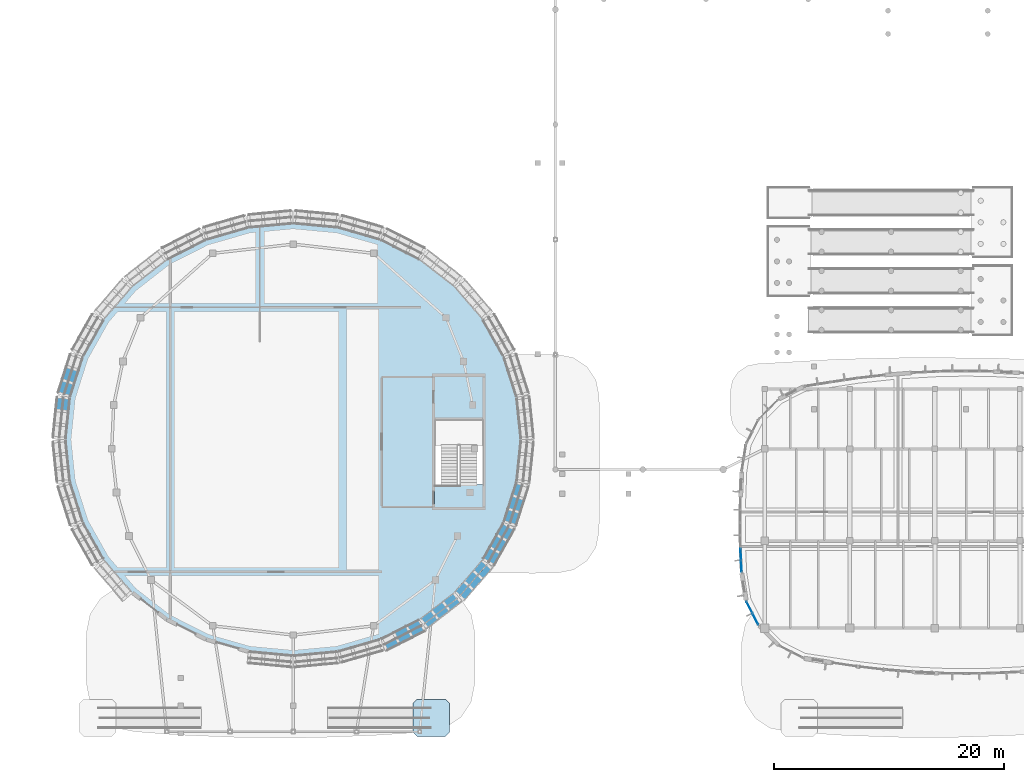
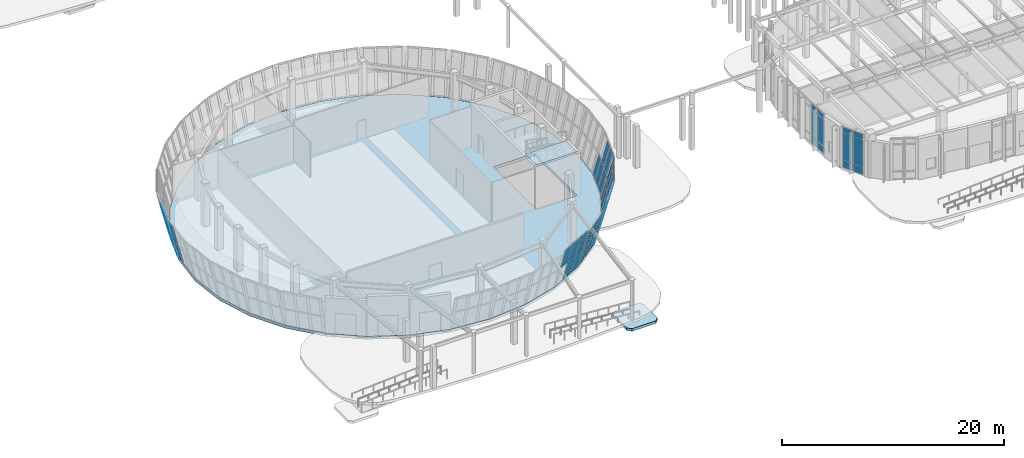
# One storey, part 67 of 120: 46 plates, 3 slabs, 10 elements without a shape of their own.
"""IFC4 building model written with IfcOpenShell, lengths in metres."""

from ifc_helpers import new_model, si_unit, direction, frame, origin, origin_2d, place, context, subcontext, project, spatial, polyline, rectangle, outline, extrude, material, layer, layer_set, type_object, element, aggregate, save


model = new_model("IFC4")

# Units and contexts
model_context = context("Model", 3, precision=1e-05, world=origin(), true_north=direction((0.0, 1.0)))
body_context = subcontext(model_context, "Body", "Model", "MODEL_VIEW")
ifc_project = project(units=[si_unit("LENGTHUNIT", "METRE"), si_unit("AREAUNIT", "SQUARE_METRE"), si_unit("VOLUMEUNIT", "CUBIC_METRE"), si_unit("PLANEANGLEUNIT", "RADIAN"), si_unit("MASSUNIT", "GRAM", prefix="KILO")], contexts=[model_context])

# Site, building, storey
site_placement = place(None, origin())
site = spatial("IfcSite", under=ifc_project, at=site_placement, CompositionType="ELEMENT")
building_placement = place(site_placement, origin())
building = spatial("IfcBuilding", under=site, at=building_placement, Name="Corveleigh Park Community Centre", CompositionType="ELEMENT")
storey_placement = place(building_placement, origin())
storey = spatial("IfcBuildingStorey", under=building, at=storey_placement, Name="L00", CompositionType="ELEMENT", Elevation=0.0)

# Curtain wall, plates
ifc_material_1 = material(Name="Anodised aluminium 6063-T6", Category="aluminium")
curtain_wall_type_1 = type_object("IfcCurtainWallType", Name="CW-SYS-V1-L00", PredefinedType="NOTDEFINED", material=ifc_material_1)
curtain_wall_1_placement = place(storey_placement, origin())
curtain_wall_1 = element("IfcCurtainWall", 1, at=curtain_wall_1_placement, inside=storey, type_object=curtain_wall_type_1, Name="Main Hall Flared Drum CW 15", PredefinedType="NOTDEFINED")
ifc_material_2 = material(Name="Low-E double glazing", Category="glass")
ifc_layer_1 = layer(ifc_material_2, 0.028076171875, Name="Low-E double glazing", Category="glass")
ifc_layer_set_1 = layer_set([ifc_layer_1], Name="Low-E double glazing")
plate_type_1 = type_object("IfcPlateType", Name="CWP-GLZ-28", PredefinedType="CURTAIN_PANEL", material=ifc_layer_set_1)
plate_1_placement = place(storey_placement, frame((12.298583984375, 33.578369140625, 0.074951171875), z_axis=(0.924224052643, -0.295459781747, 0.241895468923), x_axis=(-0.304500987016, -0.952512020316, -7.678442e-06)))
plate_1 = element("IfcPlate", 2, at=plate_1_placement, type_object=plate_type_1, Name="CW01 panel 2.1", PredefinedType="CURTAIN_PANEL", context=body_context, shape_type="SweptSolid", body=[
    extrude(outline(polyline([(0.0, 0.0), (1.1362216027012917, 0.0), (1.13611658164049, -2.202880342482086), (0.00012752581915844347, -2.2028623614487755), (0.0, 0.0)])), origin(), (0.0, 0.0, -1.0), 0.028076171875),
])
plate_2_placement = place(storey_placement, frame((11.773193359375, 33.746337890625, 2.28759765625), z_axis=(0.924213395342, -0.295456374777, 0.241940344866), x_axis=(-0.30450098634, -0.952512020533, -7.679778e-06)))
plate_2 = element("IfcPlate", 3, at=plate_2_placement, type_object=plate_type_1, Name="CW01 panel 2.2", PredefinedType="CURTAIN_PANEL", context=body_context, shape_type="SweptSolid", body=[
    extrude(outline(polyline([(0.0, 0.0), (1.1362216027013048, 1.3877787807814457e-17), (1.1360783917475075, -2.215234922202631), (8.933592621562777e-05, -2.2152169378335165), (0.0, 0.0)])), origin(), (0.0, 0.0, -1.0), 0.028076171875),
])
plate_3_placement = place(storey_placement, frame((11.92822265625, 32.419921875, 0.074951171875), z_axis=(0.9242321555, -0.295434433899, 0.241895469173), x_axis=(-0.3044785768, -0.952519184167, 7.959586e-06)))
plate_3 = element("IfcPlate", 4, at=plate_3_placement, type_object=plate_type_1, Name="CW01 panel 3.1", PredefinedType="CURTAIN_PANEL", context=body_context, shape_type="SweptSolid", body=[
    extrude(outline(polyline([(0.0, 0.0), (1.09599468896104, 0.0), (1.0961431042570502, -2.202862360140468), (-8.413333293679463e-05, -2.2028803433789186), (0.0, 0.0)])), origin(), (0.0, 0.0, -1.0), 0.028076171875),
])
plate_4_placement = place(storey_placement, frame((11.40283203125, 32.587890625, 2.28759765625), z_axis=(0.924221498211, -0.295431027255, 0.241940344671), x_axis=(-0.304478577502, -0.952519183943, 7.96097e-06)))
plate_4 = element("IfcPlate", 5, at=plate_4_placement, type_object=plate_type_1, Name="CW01 panel 3.2", PredefinedType="CURTAIN_PANEL", context=body_context, shape_type="SweptSolid", body=[
    extrude(outline(polyline([(0.0, 0.0), (1.0959946889610537, 0.0), (1.096105035412577, -2.2152169368866095), (-0.00012220217736917614, -2.2152349234612396), (0.0, 0.0)])), origin(), (0.0, 0.0, -1.0), 0.028076171875),
])
aggregate(curtain_wall_1, [plate_1, plate_2, plate_3, plate_4])

curtain_wall_2_placement = place(storey_placement, origin())
curtain_wall_2 = element("IfcCurtainWall", 6, at=curtain_wall_2_placement, inside=storey, type_object=curtain_wall_type_1, Name="Main Hall Flared Drum CW 16", PredefinedType="NOTDEFINED")
plate_5_placement = place(storey_placement, frame((11.550048828125, 31.163330078125, 0.074951171875), z_axis=(0.96515001624, -0.09986930772, 0.241891644185), x_axis=(-0.102926539909, -0.994688960115, 2.70295e-06)))
plate_5 = element("IfcPlate", 7, at=plate_5_placement, type_object=plate_type_1, Name="CW01 panel 1.1", PredefinedType="CURTAIN_PANEL", context=body_context, shape_type="SweptSolid", body=[
    extrude(outline(polyline([(0.0, 0.0), (1.0910006435718256, 6.938893903907228e-18), (1.09116345006612, -2.2028661474763482), (-8.003749010855978e-05, -2.2028722264994736), (0.0, 0.0)])), origin(), (0.0, 0.0, -1.0), 0.028076171875),
])
plate_6_placement = place(storey_placement, frame((11.00146484375, 31.22021484375, 2.28759765625), z_axis=(0.965128779744, -0.099855879146, 0.241981904095), x_axis=(-0.102914417151, -0.99469021446, 0.0)))
plate_6 = element("IfcPlate", 8, at=plate_6_placement, type_object=plate_type_1, Name="CW01 panel 1.2", PredefinedType="CURTAIN_PANEL", context=body_context, shape_type="SweptSolid", body=[
    extrude(outline(polyline([(0.0, 0.0), (1.091243487641259, -3.469446951953614e-18), (1.0912349667889558, -2.2152495912078316), (-8.52085230314992e-06, -2.2152495912078316), (0.0, 0.0)])), origin(), (0.0, 0.0, -1.0), 0.028076171875),
])
aggregate(curtain_wall_2, [plate_5, plate_6])

curtain_wall_3_placement = place(storey_placement, origin())
curtain_wall_3 = element("IfcCurtainWall", 9, at=curtain_wall_3_placement, inside=storey, type_object=curtain_wall_type_1, Name="Main Hall Flared Drum CW 24", PredefinedType="NOTDEFINED")
plate_7_placement = place(storey_placement, frame((38.928466796875, 9.76953125, 2.28759765625), z_axis=(-0.439145416311, 0.865234597971, 0.241909887783), x_axis=(0.89171981789, 0.452587854877, 0.0)))
plate_7 = element("IfcPlate", 10, at=plate_7_placement, type_object=plate_type_1, Name="CW01 panel 1.2", PredefinedType="CURTAIN_PANEL", context=body_context, shape_type="SweptSolid", body=[
    extrude(outline(polyline([(0.0, 0.0), (1.143057593792787, 0.0), (1.1432175222570384, -2.2152085929973557), (0.0001599284642513632, -2.2152085929973557), (0.0, 0.0)])), origin(), (0.0, 0.0, -1.0), 0.028076171875),
])
plate_8_placement = place(storey_placement, frame((39.76953125, 10.815185546875, 0.074951171875), z_axis=(-0.439122373014, 0.865229263015, 0.241970791505), x_axis=(0.891728276149, 0.452571189446, 0.0)))
plate_8 = element("IfcPlate", 11, at=plate_8_placement, type_object=plate_type_1, Name="CW01 panel 2.1", PredefinedType="CURTAIN_PANEL", context=body_context, shape_type="SweptSolid", body=[
    extrude(outline(polyline([(0.0, 0.0), (1.1830191649644384, 0.0), (1.1829877760446348, -2.2029139909198747), (-3.13889198035054e-05, -2.2029139909198747), (0.0, 0.0)])), origin(), (0.0, 0.0, -1.0), 0.028076171875),
])
plate_9_placement = place(storey_placement, frame((40.01904296875, 10.3232421875, 2.28759765625), z_axis=(-0.439081052362, 0.865247956125, 0.241978932714), x_axis=(0.891750644731, 0.452527112449, 1.0961263e-05)))
plate_9 = element("IfcPlate", 12, at=plate_9_placement, type_object=plate_type_1, Name="CW01 panel 2.2", PredefinedType="CURTAIN_PANEL", context=body_context, shape_type="SweptSolid", body=[
    extrude(outline(polyline([(0.0, 0.0), (1.1832368760079799, 0.0), (1.183128674593076, -2.2152345336873904), (0.00010951114484507044, -2.2152612652653896), (0.0, 0.0)])), origin(), (0.0, 0.0, -1.0), 0.028076171875),
])
plate_10_placement = place(storey_placement, frame((40.895751953125, 11.38671875, 0.074951171875), z_axis=(-0.439149042587, 0.865241742709, 0.241877748188), x_axis=(0.89171981789, 0.452587854877, 0.0)))
plate_10 = element("IfcPlate", 13, at=plate_10_placement, type_object=plate_type_1, Name="CW01 panel 3.1", PredefinedType="CURTAIN_PANEL", context=body_context, shape_type="SweptSolid", body=[
    extrude(outline(polyline([(0.0, 0.0), (1.143057593792787, 0.0), (1.1431267379543772, -2.202861322624002), (6.914416159023535e-05, -2.202861322624002), (0.0, 0.0)])), origin(), (0.0, 0.0, -1.0), 0.028076171875),
])
plate_11_placement = place(storey_placement, frame((41.1455078125, 10.894775390625, 2.28759765625), z_axis=(-0.439106249554, 0.86526104059, 0.241886405653), x_axis=(0.891740410048, 0.452547280357, -1.1342872e-05)))
plate_11 = element("IfcPlate", 14, at=plate_11_placement, type_object=plate_type_1, Name="CW01 panel 3.2", PredefinedType="CURTAIN_PANEL", context=body_context, shape_type="SweptSolid", body=[
    extrude(outline(polyline([(0.0, 0.0), (1.1430575925360011, 1.3877787807814457e-17), (1.1432175235139999, -2.215208592348667), (-5.777908304825757e-05, -2.2151818650904693), (0.0, 0.0)])), origin(), (0.0, 0.0, -1.0), 0.028076171875),
])
aggregate(curtain_wall_3, [plate_7, plate_8, plate_9, plate_10, plate_11])

curtain_wall_4_placement = place(storey_placement, origin())
curtain_wall_4 = element("IfcCurtainWall", 15, at=curtain_wall_4_placement, inside=storey, type_object=curtain_wall_type_1, Name="Main Hall Flared Drum CW 25", PredefinedType="NOTDEFINED")
plate_12_placement = place(storey_placement, frame((42.094482421875, 12.017333984375, 0.074951171875), z_axis=(-0.596494328282, 0.765305574277, 0.241871648416), x_axis=(0.788724172933, 0.614747248088, 0.0)))
plate_12 = element("IfcPlate", 16, at=plate_12_placement, type_object=plate_type_1, Name="CW01 panel 1.1", PredefinedType="CURTAIN_PANEL", context=body_context, shape_type="SweptSolid", body=[
    extrude(outline(polyline([(0.0, 0.0), (1.1310542701294881, 0.0), (1.1311733683025378, -2.2028578706137374), (0.00011909817304961434, -2.2028578706137374), (0.0, 0.0)])), origin(), (0.0, 0.0, -1.0), 0.028076171875),
])
plate_13_placement = place(storey_placement, frame((42.43359375, 11.58251953125, 2.28759765625), z_axis=(-0.596434349378, 0.76536298951, 0.241837882001), x_axis=(0.788779563901, 0.614676174236, 1.9979105e-05)))
plate_13 = element("IfcPlate", 17, at=plate_13_placement, type_object=plate_type_1, Name="CW01 panel 1.2", PredefinedType="CURTAIN_PANEL", context=body_context, shape_type="SweptSolid", body=[
    extrude(outline(polyline([(0.0, 0.0), (1.1309041978865157, 2.7755575615628914e-17), (1.1311262003276359, -1.728783693838389), (7.193501576945395e-05, -1.728830268226896), (0.0, 0.0)])), origin(), (0.0, 0.0, -1.0), 0.028076171875),
])
plate_14_placement = place(storey_placement, frame((43.0498046875, 12.761962890625, 0.074951171875), z_axis=(-0.596492169086, 0.765314524556, 0.241848652515), x_axis=(0.788731694253, 0.614737597767, 1.9296244e-05)))
plate_14 = element("IfcPlate", 18, at=plate_14_placement, type_object=plate_type_1, Name="CW01 panel 2.1", PredefinedType="CURTAIN_PANEL", context=body_context, shape_type="SweptSolid", body=[
    extrude(outline(polyline([(0.0, 0.0), (1.1709029388614423, 2.7755575615628914e-17), (1.1708772393632954, -2.202821573268966), (-0.00017578191947641988, -2.202868146805956), (0.0, 0.0)])), origin(), (0.0, 0.0, -1.0), 0.028076171875),
])
plate_15_placement = place(storey_placement, frame((43.388671875, 12.326904296875, 2.28759765625), z_axis=(-0.596422853088, 0.765355377623, 0.241890318654), x_axis=(0.788779283732, 0.614676534085, 0.0)))
plate_15 = element("IfcPlate", 19, at=plate_15_placement, type_object=plate_type_1, Name="CW01 panel 2.2", PredefinedType="CURTAIN_PANEL", context=body_context, shape_type="SweptSolid", body=[
    extrude(outline(polyline([(0.0, 0.0), (1.1709029425883544, 0.0), (1.1709411721346286, -1.7288302718252708), (3.822954627427655e-05, -1.7288302718252708), (0.0, 0.0)])), origin(), (0.0, 0.0, -1.0), 0.028076171875),
])
plate_16_placement = place(storey_placement, frame((44.036376953125, 13.53076171875, 0.074951171875), z_axis=(-0.596550022218, 0.765272298516, 0.241839575163), x_axis=(0.788685766687, 0.614796520146, 1.5570439e-05)))
plate_16 = element("IfcPlate", 20, at=plate_16_placement, type_object=plate_type_1, Name="CW01 panel 3.1", PredefinedType="CURTAIN_PANEL", context=body_context, shape_type="SweptSolid", body=[
    extrude(outline(polyline([(0.0, 0.0), (1.1310542677852573, 5.551115123125783e-17), (1.1309808110340844, -2.2028215729714775), (0.00011909348483451449, -2.2028578694103493), (0.0, 0.0)])), origin(), (0.0, 0.0, -1.0), 0.028076171875),
])
plate_17_placement = place(storey_placement, frame((44.37548828125, 13.095947265625, 2.28759765625), z_axis=(-0.596491390402, 0.765331446824, 0.241797017513), x_axis=(0.788736392587, 0.614731569865, 4.407422e-06)))
plate_17 = element("IfcPlate", 21, at=plate_17_placement, type_object=plate_type_1, Name="CW01 panel 3.2", PredefinedType="CURTAIN_PANEL", context=body_context, shape_type="SweptSolid", body=[
    extrude(outline(polyline([(0.0, 0.0), (1.1307116263495272, -5.551115123125783e-17), (1.1308781511231694, -1.7287837024741155), (-0.0001761187718785473, -1.7287939758748223), (0.0, 0.0)])), origin(), (0.0, 0.0, -1.0), 0.028076171875),
])
aggregate(curtain_wall_4, [plate_12, plate_13, plate_14, plate_15, plate_16, plate_17])

curtain_wall_5_placement = place(storey_placement, origin())
curtain_wall_5 = element("IfcCurtainWall", 22, at=curtain_wall_5_placement, inside=storey, type_object=curtain_wall_type_1, Name="Main Hall Flared Drum CW 26", PredefinedType="NOTDEFINED")
plate_18_placement = place(storey_placement, frame((45.08447265625, 14.374267578125, 0.074951171875), z_axis=(-0.734016166689, 0.634607104553, 0.241855514494), x_axis=(0.654023576954, 0.756474163992, 0.0)))
plate_18 = element("IfcPlate", 23, at=plate_18_placement, type_object=plate_type_1, Name="CW01 panel 1.1", PredefinedType="CURTAIN_PANEL", context=body_context, shape_type="SweptSolid", body=[
    extrude(outline(polyline([(0.0, 0.0), (1.1176310105729081, -2.7755575615628914e-17), (1.1177053009866373, -2.202848740530084), (7.429041372922125e-05, -2.202848740530084), (0.0, 0.0)])), origin(), (0.0, 0.0, -1.0), 0.028076171875),
])
plate_19_placement = place(storey_placement, frame((45.501708984375, 14.013427734375, 2.28759765625), z_axis=(-0.734043675867, 0.634539271127, 0.241949985157), x_axis=(0.653966378888, 0.756523611663, -1.6765787e-05)))
plate_19 = element("IfcPlate", 24, at=plate_19_placement, type_object=plate_type_1, Name="CW01 panel 1.2", PredefinedType="CURTAIN_PANEL", context=body_context, shape_type="SweptSolid", body=[
    extrude(outline(polyline([(0.0, 0.0), (1.1178157053686328, 0.0), (1.1177479912555672, -2.215250732361659), (0.00011698403431295142, -2.215212105689578), (0.0, 0.0)])), origin(), (0.0, 0.0, -1.0), 0.028076171875),
])
plate_20_placement = place(storey_placement, frame((45.86767578125, 15.2802734375, 0.074951171875), z_axis=(-0.734074393715, 0.634526744226, 0.241889634655), x_axis=(0.653943437992, 0.756543442008, -1.6182402e-05)))
plate_20 = element("IfcPlate", 25, at=plate_20_placement, type_object=plate_type_1, Name="CW01 panel 2.1", PredefinedType="CURTAIN_PANEL", context=body_context, shape_type="SweptSolid", body=[
    extrude(outline(polyline([(0.0, 0.0), (1.1578018728364126, -2.7755575615628914e-17), (1.1576004333838519, -2.202887356143626), (-1.673646378932745e-05, -2.202848740357441), (0.0, 0.0)])), origin(), (0.0, 0.0, -1.0), 0.028076171875),
])
plate_21_placement = place(storey_placement, frame((46.284912109375, 14.919677734375, 2.28759765625), z_axis=(-0.734063009963, 0.634516904222, 0.241949985865), x_axis=(0.653949544007, 0.756538164028, 1.6188772e-05)))
plate_21 = element("IfcPlate", 26, at=plate_21_placement, type_object=plate_type_1, Name="CW01 panel 2.2", PredefinedType="CURTAIN_PANEL", context=body_context, shape_type="SweptSolid", body=[
    extrude(outline(polyline([(0.0, 0.0), (1.1576171704917941, 2.7755575615628914e-17), (1.1577930623765422, -2.2152121017955335), (-8.809815454084848e-06, -2.2152507333791536), (0.0, 0.0)])), origin(), (0.0, 0.0, -1.0), 0.028076171875),
])
plate_22_placement = place(storey_placement, frame((46.677001953125, 16.216796875, 0.074951171875), z_axis=(-0.73404828675, 0.634528890091, 0.241963221087), x_axis=(0.653957406927, 0.756531367194, -1.9402051e-05)))
plate_22 = element("IfcPlate", 27, at=plate_22_placement, type_object=plate_type_1, Name="CW01 panel 3.1", PredefinedType="CURTAIN_PANEL", context=body_context, shape_type="SweptSolid", body=[
    extrude(outline(polyline([(0.0, 0.0), (1.1174713485171794, 0.0), (1.1174325250141808, -2.202932049573967), (-0.00019848107304936934, -2.2028873559515008), (0.0, 0.0)])), origin(), (0.0, 0.0, -1.0), 0.028076171875),
])
plate_23_placement = place(storey_placement, frame((47.09423828125, 15.85595703125, 2.28759765625), z_axis=(-0.734043675867, 0.634539271127, 0.241949985157), x_axis=(0.653972704978, 0.756518143115, 1.6768558e-05)))
plate_23 = element("IfcPlate", 28, at=plate_23_placement, type_object=plate_type_1, Name="CW01 panel 3.2", PredefinedType="CURTAIN_PANEL", context=body_context, shape_type="SweptSolid", body=[
    extrude(outline(polyline([(0.0, 0.0), (1.1176310078887464, 2.7755575615628914e-17), (1.1178245523181403, -2.215212100323459), (8.84761710983174e-06, -2.2152507333789075), (0.0, 0.0)])), origin(), (0.0, 0.0, -1.0), 0.028076171875),
])
aggregate(curtain_wall_5, [plate_18, plate_19, plate_20, plate_21, plate_22, plate_23])

curtain_wall_6_placement = place(storey_placement, origin())
curtain_wall_6 = element("IfcCurtainWall", 29, at=curtain_wall_6_placement, inside=storey, type_object=curtain_wall_type_1, Name="Main Hall Flared Drum CW 27", PredefinedType="NOTDEFINED")
plate_24_placement = place(storey_placement, frame((47.531494140625, 17.238525390625, 0.074951171875), z_axis=(-0.845608850053, 0.475815618134, 0.241961092433), x_axis=(0.490391908208, 0.871502022863, 2.2581573e-05)))
plate_24 = element("IfcPlate", 30, at=plate_24_placement, type_object=plate_type_1, Name="CW01 panel 1.1", PredefinedType="CURTAIN_PANEL", context=body_context, shape_type="SweptSolid", body=[
    extrude(outline(polyline([(0.0, 0.0), (1.1060402359133414, 2.7755575615628914e-17), (1.105929016332279, -2.2028827617081026), (8.505005902408371e-06, -2.2029342409163166), (0.0, 0.0)])), origin(), (0.0, 0.0, -1.0), 0.028076171875),
])
plate_25_placement = place(storey_placement, frame((48.01220703125, 16.968017578125, 2.28759765625), z_axis=(-0.845545685204, 0.475947438258, 0.241922570772), x_axis=(0.490520763399, 0.871429504041, 1.2710366e-05)))
plate_25 = element("IfcPlate", 31, at=plate_25_placement, type_object=plate_type_1, Name="CW01 panel 1.2", PredefinedType="CURTAIN_PANEL", context=body_context, shape_type="SweptSolid", body=[
    extrude(outline(polyline([(0.0, 0.0), (1.1058274874809264, 1.3877787807814457e-17), (1.106027676957768, -2.2152013240576878), (-1.2561866918475107e-05, -2.2152302983719685), (0.0, 0.0)])), origin(), (0.0, 0.0, -1.0), 0.028076171875),
])
plate_26_placement = place(storey_placement, frame((48.11328125, 18.27197265625, 0.074951171875), z_axis=(-0.845561557323, 0.475899654299, 0.241961095667), x_axis=(0.490468874936, 0.871458709432, -2.1792119e-05)))
plate_26 = element("IfcPlate", 32, at=plate_26_placement, type_object=plate_type_1, Name="CW01 panel 2.1", PredefinedType="CURTAIN_PANEL", context=body_context, shape_type="SweptSolid", body=[
    extrude(outline(polyline([(0.0, 0.0), (1.1460441724578074, 0.0), (1.1460049149370777, -2.2029342405832093), (-0.00015900089839957345, -2.2028827587777835), (0.0, 0.0)])), origin(), (0.0, 0.0, -1.0), 0.028076171875),
])
plate_27_placement = place(storey_placement, frame((48.593994140625, 18.00146484375, 2.28759765625), z_axis=(-0.845558848019, 0.475911116905, 0.241948017852), x_axis=(0.490483775951, 0.871450323041, 0.0)))
plate_27 = element("IfcPlate", 33, at=plate_27_placement, type_object=plate_type_1, Name="CW01 panel 2.2", PredefinedType="CURTAIN_PANEL", context=body_context, shape_type="SweptSolid", body=[
    extrude(outline(polyline([(0.0, 0.0), (1.1458314144234052, -1.3877787807814457e-17), (1.1457687839252304, -2.2152302982841046), (-6.26304981747039e-05, -2.2152302982841046), (0.0, 0.0)])), origin(), (0.0, 0.0, -1.0), 0.028076171875),
])
plate_28_placement = place(storey_placement, frame((48.714599609375, 19.34033203125, 0.074951171875), z_axis=(-0.845572958026, 0.475902510824, 0.241915631669), x_axis=(0.490470824454, 0.871457612486, 0.0)))
plate_28 = element("IfcPlate", 34, at=plate_28_placement, type_object=plate_type_1, Name="CW01 panel 3.1", PredefinedType="CURTAIN_PANEL", context=body_context, shape_type="SweptSolid", body=[
    extrude(outline(polyline([(0.0, 0.0), (1.1060402407301373, 1.3877787807814457e-17), (1.1059290115159677, -2.2028827641260698), (-0.00011122921416961695, -2.2028827641260698), (0.0, 0.0)])), origin(), (0.0, 0.0, -1.0), 0.028076171875),
])
plate_29_placement = place(storey_placement, frame((49.1953125, 19.06982421875, 2.28759765625), z_axis=(-0.845545685204, 0.475947438258, 0.241922570772), x_axis=(0.490520763399, 0.871429504041, 1.2710366e-05)))
plate_29 = element("IfcPlate", 35, at=plate_29_placement, type_object=plate_type_1, Name="CW01 panel 3.2", PredefinedType="CURTAIN_PANEL", context=body_context, shape_type="SweptSolid", body=[
    extrude(outline(polyline([(0.0, 0.0), (1.1058274874809264, 1.3877787807814457e-17), (1.106027676957768, -2.2152013240576878), (-1.2561866918475107e-05, -2.2152302983719685), (0.0, 0.0)])), origin(), (0.0, 0.0, -1.0), 0.028076171875),
])
aggregate(curtain_wall_6, [plate_24, plate_25, plate_26, plate_27, plate_28, plate_29])

curtain_wall_7_placement = place(storey_placement, origin())
curtain_wall_7 = element("IfcCurtainWall", 36, at=curtain_wall_7_placement, inside=storey, type_object=curtain_wall_type_1, Name="Main Hall Flared Drum CW 28", PredefinedType="NOTDEFINED")
plate_30_placement = place(storey_placement, frame((49.34326171875, 20.50146484375, 0.074951171875), z_axis=(-0.924238399796, 0.295401892102, 0.241911352533), x_axis=(0.304444391368, 0.952530111106, 0.0)))
plate_30 = element("IfcPlate", 37, at=plate_30_placement, type_object=plate_type_1, Name="CW01 panel 1.1", PredefinedType="CURTAIN_PANEL", context=body_context, shape_type="SweptSolid", body=[
    extrude(outline(polyline([(0.0, 0.0), (1.0962272383307061, 0.0), (1.0961069663016658, -2.202880341997467), (-0.00012027202904019057, -2.202880341997467), (0.0, 0.0)])), origin(), (0.0, 0.0, -1.0), 0.028076171875),
])
plate_31_placement = place(storey_placement, frame((49.86865234375, 20.33349609375, 2.28759765625), z_axis=(-0.92421523089, 0.295463568902, 0.241924547003), x_axis=(0.304508988552, 0.952509462363, 0.0)))
plate_31 = element("IfcPlate", 38, at=plate_31_placement, type_object=plate_type_1, Name="CW01 panel 1.2", PredefinedType="CURTAIN_PANEL", context=body_context, shape_type="SweptSolid", body=[
    extrude(outline(polyline([(0.0, 0.0), (1.0959946895543804, -1.3877787807814457e-17), (1.0961050348191905, -2.2152169371802213), (0.00011034526481001894, -2.2152169371802213), (0.0, 0.0)])), origin(), (0.0, 0.0, -1.0), 0.028076171875),
])
plate_32_placement = place(storey_placement, frame((49.701416015625, 21.621826171875, 0.074951171875), z_axis=(-0.924210611668, 0.295488816953, 0.24191135636), x_axis=(0.304533977361, 0.952501473297, 0.0)))
plate_32 = element("IfcPlate", 39, at=plate_32_placement, type_object=plate_type_1, Name="CW01 panel 2.1", PredefinedType="CURTAIN_PANEL", context=body_context, shape_type="SweptSolid", body=[
    extrude(outline(polyline([(0.0, 0.0), (1.1359890565361874, 0.0), (1.1359189049712526, -2.2028803441637486), (-7.015156493470065e-05, -2.2028803441637486), (0.0, 0.0)])), origin(), (0.0, 0.0, -1.0), 0.028076171875),
])
plate_33_placement = place(storey_placement, frame((50.226806640625, 21.453857421875, 2.28759765625), z_axis=(-0.924199974742, 0.295485416112, 0.241956143862), x_axis=(0.304533977361, 0.952501473297, 0.0)))
plate_33 = element("IfcPlate", 40, at=plate_33_placement, type_object=plate_type_1, Name="CW01 panel 2.2", PredefinedType="CURTAIN_PANEL", context=body_context, shape_type="SweptSolid", body=[
    extrude(outline(polyline([(0.0, 0.0), (1.1359890565361874, 0.0), (1.1358809171380344, -2.2152349244859186), (-0.00010813939815287887, -2.2152349244859186), (0.0, 0.0)])), origin(), (0.0, 0.0, -1.0), 0.028076171875),
])
plate_34_placement = place(storey_placement, frame((50.07177734375, 22.780029296875, 0.074951171875), z_axis=(-0.924238399796, 0.295401892102, 0.241911352533), x_axis=(0.304444391368, 0.952530111106, 0.0)))
plate_34 = element("IfcPlate", 41, at=plate_34_placement, type_object=plate_type_1, Name="CW01 panel 3.1", PredefinedType="CURTAIN_PANEL", context=body_context, shape_type="SweptSolid", body=[
    extrude(outline(polyline([(0.0, 0.0), (1.0962272383307061, 0.0), (1.0961069663016658, -2.202880341997467), (-0.00012027202904019057, -2.202880341997467), (0.0, 0.0)])), origin(), (0.0, 0.0, -1.0), 0.028076171875),
])
aggregate(curtain_wall_7, [plate_30, plate_31, plate_32, plate_33, plate_34])

curtain_wall_type_2 = type_object("IfcCurtainWallType", Name="CW-SYS-V3-L00", PredefinedType="NOTDEFINED", material=ifc_material_1)
curtain_wall_8_placement = place(storey_placement, origin())
curtain_wall_8 = element("IfcCurtainWall", 42, at=curtain_wall_8_placement, inside=storey, type_object=curtain_wall_type_2, Name="V3 L00 Curtain Wall 105", PredefinedType="NOTDEFINED")
ifc_layer_2 = layer(ifc_material_2, 0.0400390625, Name="Low-E double glazing", Category="glass")
ifc_layer_set_2 = layer_set([ifc_layer_2], Name="Low-E double glazing")
plate_type_2 = type_object("IfcPlateType", Name="CWP-GLZ-40", PredefinedType="CURTAIN_PANEL", material=ifc_layer_set_2)
plate_35_placement = place(storey_placement, frame((69.97314453125, 16.57763671875, 0.080078125), z_axis=(0.0, 0.0, 1.0), x_axis=(-0.045970676011, 0.998942789627, 0.0)))
plate_35 = element("IfcPlate", 43, at=plate_35_placement, type_object=plate_type_2, Name="CW05 panel 1.1", PredefinedType="CURTAIN_PANEL", context=body_context, shape_type="SweptSolid", body=[
    extrude(rectangle(XDim=0.982666015625, YDim=0.0400390625, at=origin_2d()), origin(), (0.0, 0.0, 1.0), 0.780029296875),
])
plate_36_placement = place(storey_placement, frame((69.97314453125, 16.57763671875, 0.93994140625), z_axis=(0.0, 0.0, 1.0), x_axis=(-0.045970676011, 0.998942789627, 0.0)))
plate_36 = element("IfcPlate", 44, at=plate_36_placement, type_object=plate_type_2, Name="CW05 panel 1.2", PredefinedType="CURTAIN_PANEL", context=body_context, shape_type="SweptSolid", body=[
    extrude(rectangle(XDim=0.982666015625, YDim=0.0400390625, at=origin_2d()), origin(), (0.0, 0.0, 1.0), 2.882080078125),
])
plate_37_placement = place(storey_placement, frame((69.97314453125, 16.57763671875, 3.90185546875), z_axis=(0.0, 0.0, 1.0), x_axis=(-0.045970676011, 0.998942789627, 0.0)))
plate_37 = element("IfcPlate", 45, at=plate_37_placement, type_object=plate_type_2, Name="CW05 panel 1.3", PredefinedType="CURTAIN_PANEL", context=body_context, shape_type="SweptSolid", body=[
    extrude(rectangle(XDim=0.982666015625, YDim=0.0400390625, at=origin_2d()), origin(), (0.0, 0.0, 1.0), 0.530029296875),
])
plate_38_placement = place(storey_placement, frame((69.9248046875, 17.629150390625, 0.080078125), z_axis=(0.0, 0.0, 1.0), x_axis=(-0.045970676011, 0.998942789627, 0.0)))
plate_38 = element("IfcPlate", 46, at=plate_38_placement, type_object=plate_type_2, Name="CW05 panel 2.1", PredefinedType="CURTAIN_PANEL", context=body_context, shape_type="SweptSolid", body=[
    extrude(rectangle(XDim=0.982666015625, YDim=0.0400390625, at=origin_2d()), origin(), (0.0, 0.0, 1.0), 0.780029296875),
])
plate_39_placement = place(storey_placement, frame((69.9248046875, 17.629150390625, 0.93994140625), z_axis=(0.0, 0.0, 1.0), x_axis=(-0.045970676011, 0.998942789627, 0.0)))
plate_39 = element("IfcPlate", 47, at=plate_39_placement, type_object=plate_type_2, Name="CW05 panel 2.2", PredefinedType="CURTAIN_PANEL", context=body_context, shape_type="SweptSolid", body=[
    extrude(rectangle(XDim=0.982666015625, YDim=0.0400390625, at=origin_2d()), origin(), (0.0, 0.0, 1.0), 2.882080078125),
])
plate_40_placement = place(storey_placement, frame((69.9248046875, 17.629150390625, 3.90185546875), z_axis=(0.0, 0.0, 1.0), x_axis=(-0.045970676011, 0.998942789627, 0.0)))
plate_40 = element("IfcPlate", 48, at=plate_40_placement, type_object=plate_type_2, Name="CW05 panel 2.3", PredefinedType="CURTAIN_PANEL", context=body_context, shape_type="SweptSolid", body=[
    extrude(rectangle(XDim=0.982666015625, YDim=0.0400390625, at=origin_2d()), origin(), (0.0, 0.0, 1.0), 0.530029296875),
])
aggregate(curtain_wall_8, [plate_35, plate_36, plate_37, plate_38, plate_39, plate_40])

curtain_wall_9_placement = place(storey_placement, origin())
curtain_wall_9 = element("IfcCurtainWall", 49, at=curtain_wall_9_placement, inside=storey, type_object=curtain_wall_type_2, Name="V3 L00 Curtain Wall 106", PredefinedType="NOTDEFINED")
plate_41_placement = place(storey_placement, frame((71.196044921875, 11.992431640625, 0.06005859375), z_axis=(0.0, 0.0, 1.0), x_axis=(-0.45413480079, 0.890932984411, 0.0)))
plate_41 = element("IfcPlate", 50, at=plate_41_placement, type_object=plate_type_2, Name="CW05 panel 1.1", PredefinedType="CURTAIN_PANEL", context=body_context, shape_type="SweptSolid", body=[
    extrude(rectangle(XDim=1.070068359375, YDim=0.0400390625, at=origin_2d()), origin(), (0.0, 0.0, 1.0), 0.81005859375),
])
plate_42_placement = place(storey_placement, frame((71.196044921875, 11.992431640625, 0.93017578125), z_axis=(0.0, 0.0, 1.0), x_axis=(-0.45413480079, 0.890932984411, 0.0)))
plate_42 = element("IfcPlate", 51, at=plate_42_placement, type_object=plate_type_2, Name="CW05 panel 1.2", PredefinedType="CURTAIN_PANEL", context=body_context, shape_type="SweptSolid", body=[
    extrude(rectangle(XDim=1.070068359375, YDim=0.0400390625, at=origin_2d()), origin(), (0.0, 0.0, 1.0), 2.931884765625),
])
plate_43_placement = place(storey_placement, frame((71.196044921875, 11.992431640625, 3.921875), z_axis=(0.0, 0.0, 1.0), x_axis=(-0.45413480079, 0.890932984411, 0.0)))
plate_43 = element("IfcPlate", 52, at=plate_43_placement, type_object=plate_type_2, Name="CW05 panel 1.3", PredefinedType="CURTAIN_PANEL", context=body_context, shape_type="SweptSolid", body=[
    extrude(rectangle(XDim=1.070068359375, YDim=0.0400390625, at=origin_2d()), origin(), (0.0, 0.0, 1.0), 0.56005859375),
])
plate_44_placement = place(storey_placement, frame((70.676025390625, 13.012451171875, 0.06005859375), z_axis=(0.0, 0.0, 1.0), x_axis=(-0.45413480079, 0.890932984411, 0.0)))
plate_44 = element("IfcPlate", 53, at=plate_44_placement, type_object=plate_type_2, Name="CW05 panel 2.1", PredefinedType="CURTAIN_PANEL", context=body_context, shape_type="SweptSolid", body=[
    extrude(rectangle(XDim=1.070068359375, YDim=0.0400390625, at=origin_2d()), origin(), (0.0, 0.0, 1.0), 0.81005859375),
])
plate_45_placement = place(storey_placement, frame((70.676025390625, 13.012451171875, 0.93017578125), z_axis=(0.0, 0.0, 1.0), x_axis=(-0.45413480079, 0.890932984411, 0.0)))
plate_45 = element("IfcPlate", 54, at=plate_45_placement, type_object=plate_type_2, Name="CW05 panel 2.2", PredefinedType="CURTAIN_PANEL", context=body_context, shape_type="SweptSolid", body=[
    extrude(rectangle(XDim=1.070068359375, YDim=0.0400390625, at=origin_2d()), origin(), (0.0, 0.0, 1.0), 2.931884765625),
])
plate_46_placement = place(storey_placement, frame((70.676025390625, 13.012451171875, 3.921875), z_axis=(0.0, 0.0, 1.0), x_axis=(-0.45413480079, 0.890932984411, 0.0)))
plate_46 = element("IfcPlate", 55, at=plate_46_placement, type_object=plate_type_2, Name="CW05 panel 2.3", PredefinedType="CURTAIN_PANEL", context=body_context, shape_type="SweptSolid", body=[
    extrude(rectangle(XDim=1.070068359375, YDim=0.0400390625, at=origin_2d()), origin(), (0.0, 0.0, 1.0), 0.56005859375),
])
aggregate(curtain_wall_9, [plate_41, plate_42, plate_43, plate_44, plate_45, plate_46])

# Slabs
ifc_material_3 = material(Name="Concrete C32/40", Category="concrete")
ifc_layer_3 = layer(ifc_material_3, 0.2900390625, Name="Concrete C32/40", Category="concrete")
ifc_layer_set_3 = layer_set([ifc_layer_3], Name="Concrete C32/40")
slab_type_1 = type_object("IfcSlabType", Name="SLB-APR-290", PredefinedType="FLOOR", material=ifc_layer_set_3)
slab_1_placement = place(storey_placement, frame((0.0, 0.0, -0.889892578125)))
element("IfcSlab", 56, at=slab_1_placement, inside=storey, type_object=slab_type_1, Name="Ramp RM2 lower landing", PredefinedType="FLOOR", context=body_context, shape_type="SweptSolid", body=[
    extrude(outline(polyline([(41.75, 1.800048828125), (44.25, 1.800048828125), (44.60009765625, 2.14990234375), (44.60009765625, 4.64990234375), (44.25, 5.0), (41.75, 5.0), (41.39990234375, 4.64990234375), (41.39990234375, 2.14990234375), (41.75, 1.800048828125)])), origin(), (0.0, 0.0, 1.0), 0.289794921875),
])
ifc_layer_4 = layer(ifc_material_3, 0.324951171875, Name="Concrete C32/40", Category="concrete")
ifc_layer_set_4 = layer_set([ifc_layer_4], Name="Concrete C32/40")
slab_type_2 = type_object("IfcSlabType", Name="SLB-GND-325", PredefinedType="FLOOR", material=ifc_layer_set_4)
slab_2_placement = place(storey_placement, frame((0.0, 0.0, -0.324951171875)))
element("IfcSlab", 57, at=slab_2_placement, inside=storey, type_object=slab_type_2, Name="V1 L00 floor slab", PredefinedType="FLOOR", context=body_context, shape_type="SweptSolid", body=[
    extrude(outline(polyline([(49.29296875, 20.406005859375), (47.462890625, 17.155029296875), (45.0009765625, 14.305908203125), (42.0, 11.968017578125), (38.576904296875, 10.23095703125), (34.863037109375, 9.160888671875), (31.0, 8.800048828125), (27.136962890625, 9.160888671875), (23.423095703125, 10.23095703125), (20.0, 11.968017578125), (16.9990234375, 14.305908203125), (14.537109375, 17.155029296875), (12.70703125, 20.406005859375), (11.580078125, 23.931884765625), (11.199951171875, 27.60009765625), (11.580078125, 31.26806640625), (12.70703125, 34.7939453125), (14.537109375, 38.044921875), (16.9990234375, 40.89404296875), (20.0, 43.23193359375), (23.423095703125, 44.968994140625), (27.136962890625, 46.0390625), (31.0, 46.39990234375), (34.863037109375, 46.0390625), (38.576904296875, 44.968994140625), (42.0, 43.23193359375), (45.0009765625, 40.89404296875), (47.462890625, 38.044921875), (49.29296875, 34.7939453125), (50.419921875, 31.26806640625), (50.800048828125, 27.60009765625), (50.419921875, 23.931884765625), (49.29296875, 20.406005859375)]), holes=[polyline([(43.283935546875, 29.3291015625), (43.283935546875, 21.68408203125), (47.51708984375, 21.68408203125), (47.51708984375, 29.3291015625), (43.283935546875, 29.3291015625)])]), origin(), (0.0, 0.0, 1.0), 0.324951171875),
])

# Stair, slab
stair_type = type_object("IfcStairType", Name="STR-HT-1500-480", PredefinedType="USERDEFINED", material=ifc_material_3)
stair_placement = place(storey_placement, origin())
stair = element("IfcStair", 58, at=stair_placement, inside=storey, type_object=stair_type, Name="Protected escape stair ST5 (L00 to L01)", ObjectType="TWO_RETURN_STAIR", PredefinedType="USERDEFINED")
ifc_layer_5 = layer(ifc_material_3, 0.18798828125, Name="Concrete C32/40", Category="concrete")
ifc_layer_set_5 = layer_set([ifc_layer_5], Name="Concrete C32/40")
slab_type_3 = type_object("IfcSlabType", Name="SLB-LND-188", PredefinedType="LANDING", material=ifc_layer_set_5)
slab_3_placement = place(storey_placement, frame((0.0, 0.0, 4.612060546875)))
slab_3 = element("IfcSlab", 59, at=slab_3_placement, type_object=slab_type_3, Name="ST5 upper landing", PredefinedType="LANDING", context=body_context, shape_type="SweptSolid", body=[
    extrude(outline(polyline([(43.2900390625, 21.68994140625), (47.510986328125, 21.68994140625), (47.510986328125, 23.699951171875), (43.2900390625, 23.699951171875), (43.2900390625, 21.68994140625)])), origin(), (0.0, 0.0, 1.0), 0.18798828125),
])
aggregate(stair, [slab_3])

save(model, "model.ifc")
